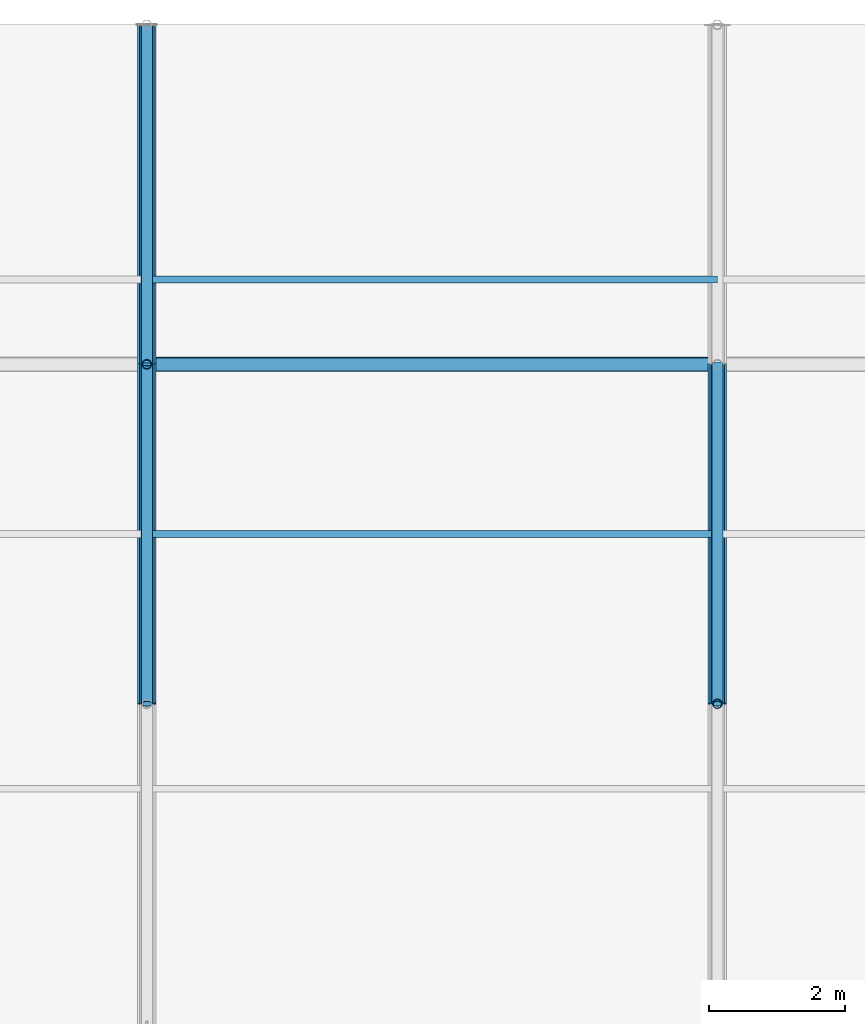
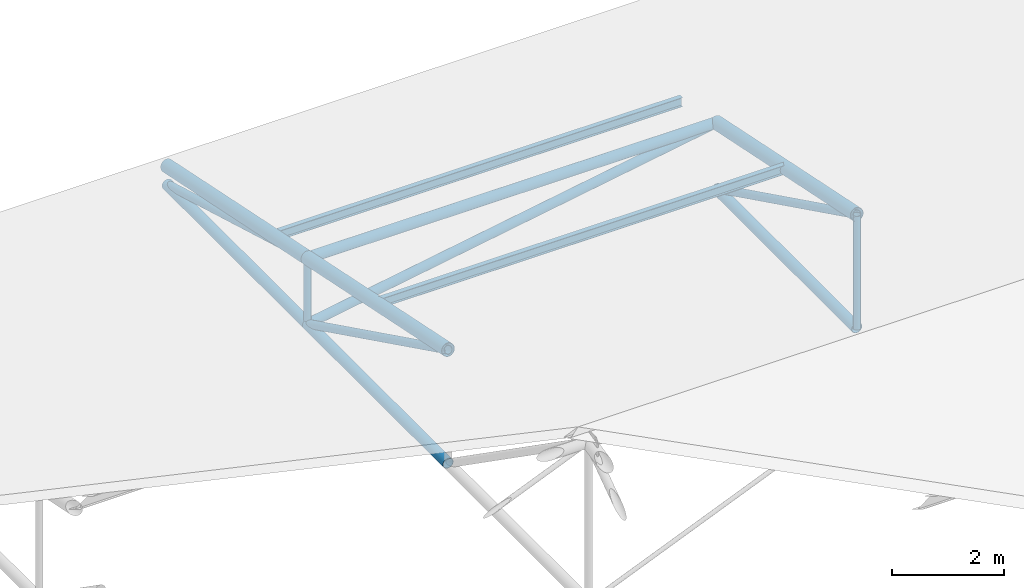
# One storey, part 95 of 194: 13 members, 2 beams.
"""IFC4 building model written with IfcOpenShell, lengths in metres."""

from ifc_helpers import new_model, si_unit, direction, frame, origin, origin_2d, place, context, subcontext, project, spatial, hollow_circle, i_section, extrude, material, material_profile, profile_set, type_object, element, save


model = new_model("IFC4")

# Units and contexts
model_context = context("Model", 3, precision=1e-05, world=origin(), true_north=direction((0.0, 1.0)))
body_context = subcontext(model_context, "Body", "Model", "MODEL_VIEW")
ifc_project = project(units=[si_unit("LENGTHUNIT", "METRE"), si_unit("AREAUNIT", "SQUARE_METRE"), si_unit("VOLUMEUNIT", "CUBIC_METRE"), si_unit("PLANEANGLEUNIT", "RADIAN"), si_unit("MASSUNIT", "GRAM", prefix="KILO")], contexts=[model_context])

# Site, building, storey
site_placement = place(None, origin())
site = spatial("IfcSite", under=ifc_project, at=site_placement, CompositionType="ELEMENT")
building_placement = place(site_placement, origin())
building = spatial("IfcBuilding", under=site, at=building_placement, Name="Kazenagashi Tramway Depot", CompositionType="ELEMENT")
storey_placement = place(building_placement, frame((0.0, 0.0, 23.7)))
storey = spatial("IfcBuildingStorey", under=building, at=storey_placement, Name="ROOF", CompositionType="ELEMENT", Elevation=23.7)

# Beams
ifc_material_1 = material(Name="Steel SN400B", Category="steel")
ifc_material_profile_1 = material_profile(ifc_material_1, i_section(OverallWidth=0.1, OverallDepth=0.2, WebThickness=0.0055, FlangeThickness=0.008, at=origin_2d()), Name="H-200x100x5.5x8")
ifc_profile_set_1 = profile_set([ifc_material_profile_1], Name="Steel SN400B")
beam_type = type_object("IfcBeamType", Name="PR-01", PredefinedType="USERDEFINED", material=ifc_profile_set_1)
for number, where, z_axis, x_axis, name in (
    (1, (128.8, 122.5, -12.13), (1.0, 0.0, 0.0), (0.0, 1.0, 0.0), "Beam PR-01 BM-2208"),
    (2, (128.8, 126.25, -12.955), (1.0, 0.0, 0.0), (0.0, 1.0, 0.0), "Beam PR-01 BM-2226"),
):
    element("IfcBeam", number, at=place(storey_placement, frame(where, z_axis=z_axis, x_axis=x_axis)), inside=storey, type_object=beam_type, Name=name, ObjectType="PURLIN", PredefinedType="USERDEFINED", context=body_context, shape_type="SweptSolid", body=[
        extrude(i_section(OverallWidth=0.1, OverallDepth=0.2, WebThickness=0.0055, FlangeThickness=0.008, at=origin_2d()), origin(), (0.0, 0.0, 1.0), 8.4),
    ])

# Members
ifc_material_2 = material(Name="Steel STK490", Category="steel")
ifc_material_profile_2 = material_profile(ifc_material_2, hollow_circle(Radius=0.1337, WallThickness=0.0093, at=origin_2d()), Name="CHS-267.4x9.3")
ifc_profile_set_2 = profile_set([ifc_material_profile_2], Name="Steel STK490")
member_type_1 = type_object("IfcMemberType", Name="TC-01", PredefinedType="CHORD", material=ifc_profile_set_2)
member_1_placement = place(storey_placement, frame((128.8, 120.0, -11.633), z_axis=(0.0, 0.979279174591, -0.202514933305), x_axis=(-1.0, 0.0, 0.0)))
element("IfcMember", 3, at=member_1_placement, inside=storey, type_object=member_type_1, Name="Tubular Space Frame TC-01 MEM-0654", PredefinedType="CHORD", context=body_context, shape_type="SweptSolid", body=[
    extrude(hollow_circle(Radius=0.1337, WallThickness=0.0093, at=origin_2d()), origin(), (0.0, 0.0, 1.0), 5.105796),
])
member_2_placement = place(storey_placement, frame((128.8, 125.0, -12.667), z_axis=(0.0, 0.979317999984, -0.202327098797), x_axis=(-1.0, 0.0, 0.0)))
element("IfcMember", 4, at=member_2_placement, inside=storey, type_object=member_type_1, Name="Tubular Space Frame TC-01 MEM-0657", PredefinedType="CHORD", context=body_context, shape_type="SweptSolid", body=[
    extrude(hollow_circle(Radius=0.1337, WallThickness=0.0093, at=origin_2d()), origin(), (0.0, 0.0, 1.0), 5.105594),
])
member_3_placement = place(storey_placement, frame((137.2, 120.0, -11.633), z_axis=(0.0, 0.979279174591, -0.202514933305), x_axis=(-1.0, 0.0, 0.0)))
element("IfcMember", 5, at=member_3_placement, inside=storey, type_object=member_type_1, Name="Tubular Space Frame TC-01 MEM-0715", PredefinedType="CHORD", context=body_context, shape_type="SweptSolid", body=[
    extrude(hollow_circle(Radius=0.1337, WallThickness=0.0093, at=origin_2d()), origin(), (0.0, 0.0, 1.0), 5.105796),
])
ifc_material_profile_3 = material_profile(ifc_material_2, hollow_circle(Radius=0.10815, WallThickness=0.0082, at=origin_2d()), Name="CHS-216.3x8.2")
ifc_profile_set_3 = profile_set([ifc_material_profile_3], Name="Steel STK490")
member_type_2 = type_object("IfcMemberType", Name="TC-02", PredefinedType="CHORD", material=ifc_profile_set_3)
for number, where, z_axis, x_axis, name in (
    (6, (128.8, 120.0, -14.1), (0.0, 1.0, 0.0), (-1.0, 0.0, 0.0), "Tubular Space Frame TC-02 MEM-0655"),
    (7, (128.8, 125.0, -14.1), (0.0, 1.0, 0.0), (-1.0, 0.0, 0.0), "Tubular Space Frame TC-02 MEM-0658"),
):
    element("IfcMember", number, at=place(storey_placement, frame(where, z_axis=z_axis, x_axis=x_axis)), inside=storey, type_object=member_type_2, Name=name, PredefinedType="CHORD", context=body_context, shape_type="SweptSolid", body=[
        extrude(hollow_circle(Radius=0.10815, WallThickness=0.0082, at=origin_2d()), origin(), (0.0, 0.0, 1.0), 5.0),
    ])
member_4_placement = place(storey_placement, frame((128.8, 125.0, -12.667), z_axis=(1.0, 0.0, 0.0), x_axis=(0.0, 1.0, 0.0)))
element("IfcMember", 8, at=member_4_placement, inside=storey, type_object=member_type_2, Name="Tubular Space Frame TC-02 MEM-0670", PredefinedType="CHORD", context=body_context, shape_type="SweptSolid", body=[
    extrude(hollow_circle(Radius=0.10815, WallThickness=0.0082, at=origin_2d()), origin(), (0.0, 0.0, 1.0), 8.4),
])
member_5_placement = place(storey_placement, frame((137.2, 120.0, -14.1), z_axis=(0.0, 1.0, 0.0), x_axis=(-1.0, 0.0, 0.0)))
element("IfcMember", 9, at=member_5_placement, inside=storey, type_object=member_type_2, Name="Tubular Space Frame TC-02 MEM-0716", PredefinedType="CHORD", context=body_context, shape_type="SweptSolid", body=[
    extrude(hollow_circle(Radius=0.10815, WallThickness=0.0082, at=origin_2d()), origin(), (0.0, 0.0, 1.0), 5.0),
])
ifc_material_profile_4 = material_profile(ifc_material_2, hollow_circle(Radius=0.0826, WallThickness=0.0071, at=origin_2d()), Name="CHS-165.2x7.1")
ifc_profile_set_4 = profile_set([ifc_material_profile_4], Name="Steel STK490")
member_type_3 = type_object("IfcMemberType", Name="TS-01", PredefinedType="STRUT", material=ifc_profile_set_4)
member_6_placement = place(storey_placement, frame((128.8, 120.0, -11.633), z_axis=(0.0, 0.896782162482, -0.442472318969), x_axis=(-1.0, 0.0, 0.0)))
element("IfcMember", 10, at=member_6_placement, inside=storey, type_object=member_type_3, Name="Tubular Space Frame TS-01 MEM-0656", PredefinedType="STRUT", context=body_context, shape_type="SweptSolid", body=[
    extrude(hollow_circle(Radius=0.0826, WallThickness=0.0071, at=origin_2d()), origin(), (0.0, 0.0, 1.0), 5.57549),
])
member_7_placement = place(storey_placement, frame((128.8, 125.0, -12.667), z_axis=(0.0, 0.961298717795, -0.27550821252), x_axis=(-1.0, 0.0, 0.0)))
element("IfcMember", 11, at=member_7_placement, inside=storey, type_object=member_type_3, Name="Tubular Space Frame TS-01 MEM-0659", PredefinedType="STRUT", context=body_context, shape_type="SweptSolid", body=[
    extrude(hollow_circle(Radius=0.0826, WallThickness=0.0071, at=origin_2d()), origin(), (0.0, 0.0, 1.0), 5.201297),
])
member_8_placement = place(storey_placement, frame((137.2, 120.0, -11.633), z_axis=(0.0, 0.896782162482, -0.442472318969), x_axis=(-1.0, 0.0, 0.0)))
element("IfcMember", 12, at=member_8_placement, inside=storey, type_object=member_type_3, Name="Tubular Space Frame TS-01 MEM-0717", PredefinedType="STRUT", context=body_context, shape_type="SweptSolid", body=[
    extrude(hollow_circle(Radius=0.0826, WallThickness=0.0071, at=origin_2d()), origin(), (0.0, 0.0, 1.0), 5.57549),
])
ifc_material_profile_5 = material_profile(ifc_material_2, hollow_circle(Radius=0.0699, WallThickness=0.0066, at=origin_2d()), Name="CHS-139.8x6.6")
ifc_profile_set_5 = profile_set([ifc_material_profile_5], Name="Steel STK490")
member_type_4 = type_object("IfcMemberType", Name="TS-02", PredefinedType="STRUT", material=ifc_profile_set_5)
member_9_placement = place(storey_placement, frame((128.8, 125.0, -14.1), z_axis=(0.0, 0.0, 1.0), x_axis=(1.0, 0.0, 0.0)))
element("IfcMember", 13, at=member_9_placement, inside=storey, type_object=member_type_4, Name="Tubular Space Frame TS-02 MEM-0664", PredefinedType="STRUT", context=body_context, shape_type="SweptSolid", body=[
    extrude(hollow_circle(Radius=0.0699, WallThickness=0.0066, at=origin_2d()), origin(), (0.0, 0.0, 1.0), 1.433),
])
member_10_placement = place(storey_placement, frame((137.2, 120.0, -14.1), z_axis=(0.0, 0.0, 1.0), x_axis=(1.0, 0.0, 0.0)))
element("IfcMember", 14, at=member_10_placement, inside=storey, type_object=member_type_4, Name="Tubular Space Frame TS-02 MEM-0724", PredefinedType="STRUT", context=body_context, shape_type="SweptSolid", body=[
    extrude(hollow_circle(Radius=0.0699, WallThickness=0.0066, at=origin_2d()), origin(), (0.0, 0.0, 1.0), 2.467),
])
ifc_material_profile_6 = material_profile(ifc_material_2, hollow_circle(Radius=0.09535, WallThickness=0.007, at=origin_2d()), Name="CHS-190.7x7.0")
ifc_profile_set_6 = profile_set([ifc_material_profile_6], Name="Steel STK490")
member_type_5 = type_object("IfcMemberType", Name="TS-05", PredefinedType="STRUT", material=ifc_profile_set_6)
member_11_placement = place(storey_placement, frame((128.8, 125.0, -14.1), z_axis=(0.985758734117, 0.0, 0.168165745951), x_axis=(0.0, 1.0, 0.0)))
element("IfcMember", 15, at=member_11_placement, inside=storey, type_object=member_type_5, Name="Tubular Space Frame TS-05 MEM-0671", PredefinedType="STRUT", context=body_context, shape_type="SweptSolid", body=[
    extrude(hollow_circle(Radius=0.09535, WallThickness=0.007, at=origin_2d()), origin(), (0.0, 0.0, 1.0), 8.521355),
])

save(model, "model.ifc")
